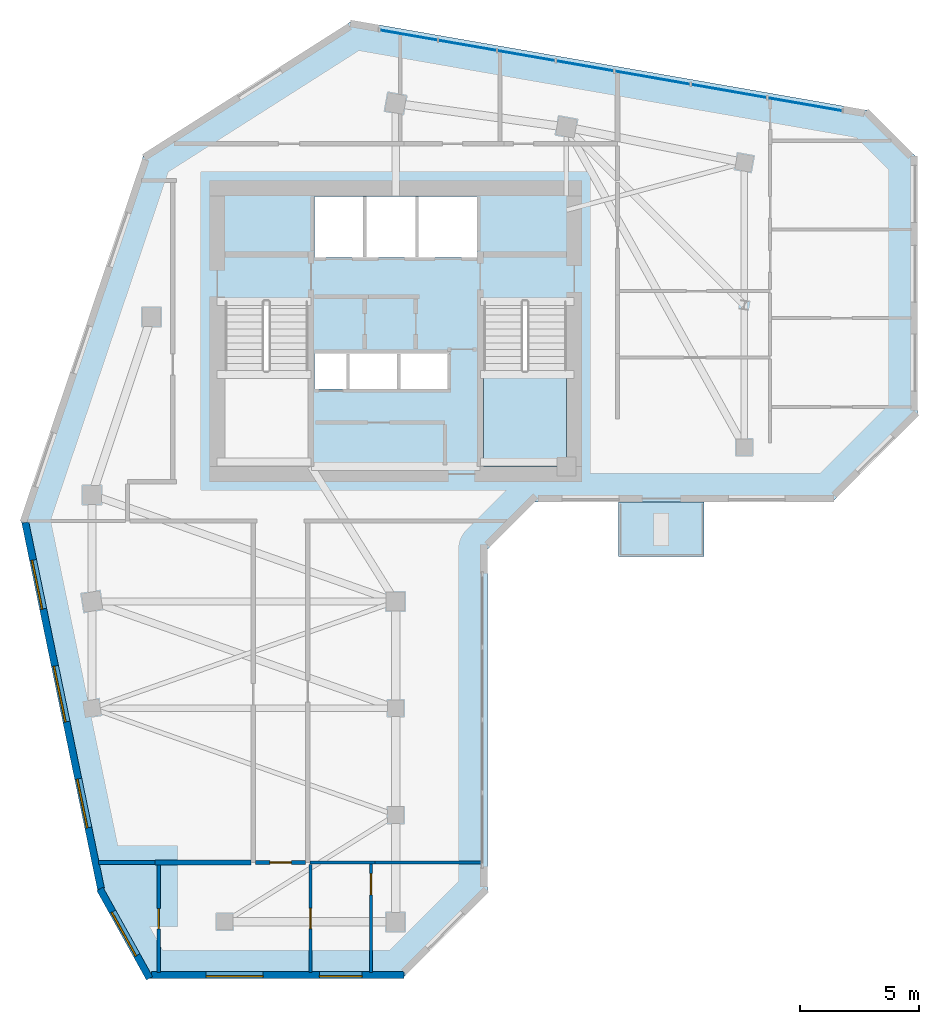
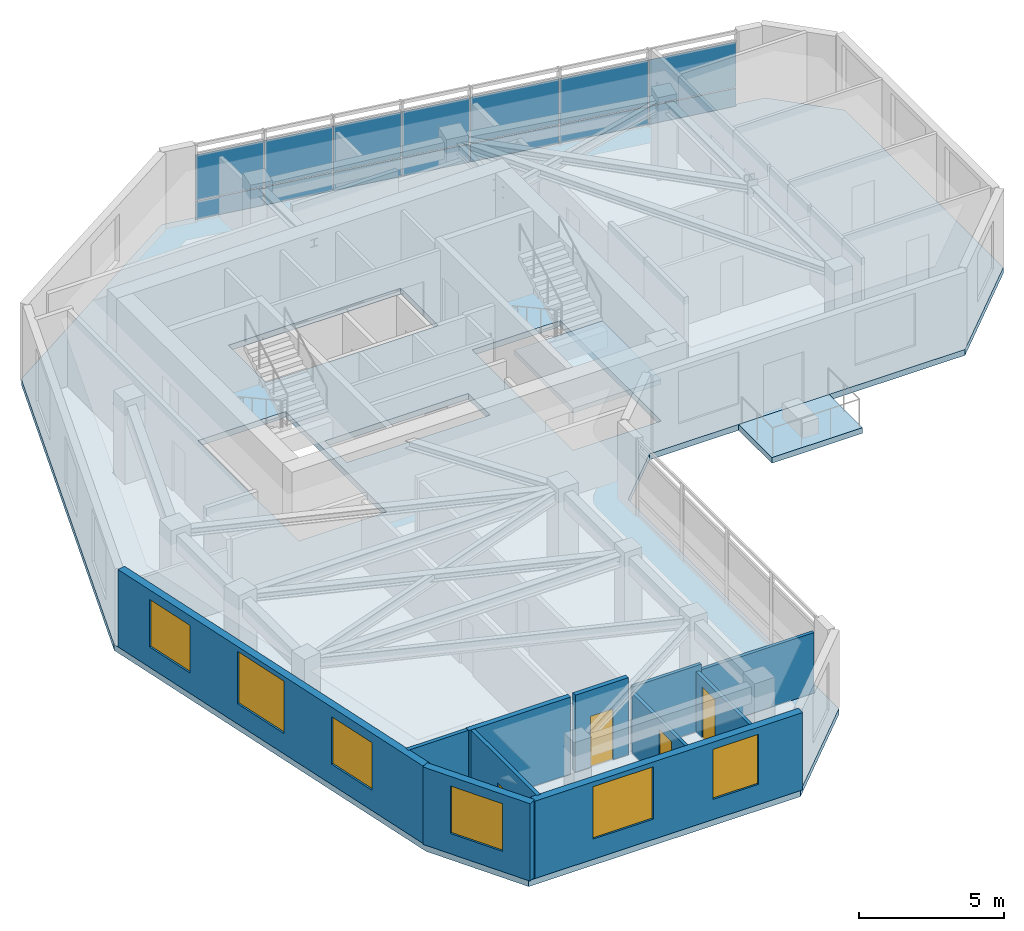
# One storey, part 3 of 9: 14 plates, 11 walls, 6 windows, 4 doors, 3 slabs, 10 openings, 2 elements without a shape of their own.
"""IFC4 building model written with IfcOpenShell, lengths in metres."""

import ifcopenshell
import ifcopenshell.guid

model = None  # the IFC model being written
_history = None  # IfcOwnerHistory: only IFC2X3 demands one
_inside = {}  # id of a spatial element -> (the spatial element, [elements in it])
_under = {}  # id of a project, library or spatial element -> (it, [spatial elements below it])
_declared = {}  # id of a project -> (the project, [libraries it declares])
_typed = {}  # id of a type object -> (the type object, [elements of that type])
_made_of = {}  # id of a material, layer set ... -> (it, [elements and type objects made of it])


def new_model(schema):
    """Start an empty IFC model of exactly this schema.

    Asked for "IFC4X3", IfcOpenShell would pick the latest addendum, in which some entities
    have other attributes; the version numbers below select the first issue.
    IFC2X3 requires an IfcOwnerHistory on every rooted entity: one is made here for all.
    """
    global model, _history
    if schema == "IFC4X3":
        model = ifcopenshell.file(schema_version=(4, 3, 0, 0))
    else:
        model = ifcopenshell.file(schema=schema)
    _inside.clear()
    _under.clear()
    _declared.clear()
    _typed.clear()
    _made_of.clear()
    _history = None
    if model.schema == "IFC2X3":
        org = make("IfcOrganization", Name="unknown")
        user = make(
            "IfcPersonAndOrganization",
            ThePerson=make("IfcPerson", FamilyName="unknown"),
            TheOrganization=org,
        )
        app = make(
            "IfcApplication",
            ApplicationDeveloper=org,
            Version="unknown",
            ApplicationFullName="unknown",
            ApplicationIdentifier="unknown",
        )
        _history = make(
            "IfcOwnerHistory",
            OwningUser=user,
            OwningApplication=app,
            ChangeAction="ADDED",
            CreationDate=0,
        )
    return model


def make(cls, **values):
    """One entity of the class cls with the attributes given. An attribute that is None is left unset."""
    return model.create_entity(
        cls, **{name: value for name, value in values.items() if value is not None}
    )


def rooted(cls, **values):
    """An entity with a GlobalId (a new one), such as an element, a storey or a relation."""
    return make(cls, GlobalId=ifcopenshell.guid.new(), OwnerHistory=_history, **values)


def si_unit(unit_type, name, prefix=None):
    """IfcSIUnit, for example si_unit("LENGTHUNIT", "METRE", prefix="MILLI")."""
    return make("IfcSIUnit", UnitType=unit_type, Prefix=prefix, Name=name)


def assignment(units):
    """IfcUnitAssignment: the units of a project."""
    return None if units is None else make("IfcUnitAssignment", Units=units)


def point(xyz):
    """IfcCartesianPoint."""
    return None if xyz is None else make("IfcCartesianPoint", Coordinates=xyz)


def direction(xyz):
    """IfcDirection."""
    return None if xyz is None else make("IfcDirection", DirectionRatios=xyz)


def frame(location, z_axis=None, x_axis=None):
    """IfcAxis2Placement3D, a coordinate frame: its origin and axes. An axis left out is left unset."""
    return make(
        "IfcAxis2Placement3D",
        Location=point(location),
        Axis=direction(z_axis),
        RefDirection=direction(x_axis),
    )


def frame_2d(location, x_axis=None):
    """IfcAxis2Placement2D, a coordinate frame in the plane: its origin and x axis."""
    return make(
        "IfcAxis2Placement2D", Location=point(location), RefDirection=direction(x_axis)
    )


def origin():
    """The frame at (0, 0, 0) with its axes left unset."""
    return frame((0.0, 0.0, 0.0))


def place(relative_to, where):
    """IfcLocalPlacement: puts the frame where relative to a parent placement (None: the world)."""
    return make(
        "IfcLocalPlacement", PlacementRelTo=relative_to, RelativePlacement=where
    )


def context(
    kind, dimensions, precision=None, world=None, true_north=None, identifier=None
):
    """IfcGeometricRepresentationContext, for example the 3D "Model" context."""
    return make(
        "IfcGeometricRepresentationContext",
        ContextIdentifier=identifier,
        ContextType=kind,
        CoordinateSpaceDimension=dimensions,
        Precision=precision,
        WorldCoordinateSystem=world,
        TrueNorth=true_north,
    )


def subcontext(parent, identifier, kind, view, scale=None):
    """IfcGeometricRepresentationSubContext, for example "Body" below "Model"."""
    return make(
        "IfcGeometricRepresentationSubContext",
        ContextIdentifier=identifier,
        ContextType=kind,
        ParentContext=parent,
        TargetScale=scale,
        TargetView=view,
    )


def project(units=None, contexts=None):
    """IfcProject with its units and contexts."""
    return rooted(
        "IfcProject",
        Name="project",
        RepresentationContexts=contexts,
        UnitsInContext=assignment(units),
    )


def spatial(cls, under=None, at=None, **own):
    """A site, building, storey or space (cls), placed at a placement, below another one or the project."""
    s = rooted(cls, ObjectPlacement=at, **own)
    if under is not None:
        _under.setdefault(under.id(), (under, []))[1].append(s)
    return s


def polyline(points):
    """IfcPolyline through the points."""
    return make("IfcPolyline", Points=[point(p) for p in points])


def profile(cls, at=None, kind="AREA", **sizes):
    """A parametric profile (cls). Its sizes go by their IFC names, for example OverallWidth=200.0."""
    return make(cls, ProfileType=kind, Position=at, **sizes)


def rectangle(**sizes):
    """IfcRectangleProfileDef."""
    return profile("IfcRectangleProfileDef", **sizes)


def outline(outer, holes=None, kind="AREA"):
    """IfcArbitraryClosedProfileDef: a profile drawn as a closed curve; with holes, ...WithVoids."""
    if holes is None:
        return make("IfcArbitraryClosedProfileDef", ProfileType=kind, OuterCurve=outer)
    return make(
        "IfcArbitraryProfileDefWithVoids",
        ProfileType=kind,
        OuterCurve=outer,
        InnerCurves=holes,
    )


def extrude(swept, where, along, depth):
    """IfcExtrudedAreaSolid: the profile swept, set in the frame where, extruded along a direction by depth."""
    return make(
        "IfcExtrudedAreaSolid",
        SweptArea=swept,
        Position=where,
        ExtrudedDirection=direction(along),
        Depth=depth,
    )


def shape(context_of_items, identifier, shape_type, items):
    """IfcShapeRepresentation: the items that make up one representation, for example the "Body"."""
    return make(
        "IfcShapeRepresentation",
        ContextOfItems=context_of_items,
        RepresentationIdentifier=identifier,
        RepresentationType=shape_type,
        Items=items,
    )


def source(mapping_origin, context_of_items, identifier, shape_type, items):
    """IfcRepresentationMap: a shape defined once, which mapped items show again and again."""
    return make(
        "IfcRepresentationMap",
        MappingOrigin=mapping_origin,
        MappedRepresentation=shape(context_of_items, identifier, shape_type, items),
    )


def transform(
    local_origin,
    x_axis=None,
    y_axis=None,
    z_axis=None,
    scale=None,
    scale2=None,
    scale3=None,
    uniform=True,
):
    """IfcCartesianTransformationOperator3D, or its non-uniform kind. x_axis, y_axis, z_axis: its Axis1, 2, 3."""
    if uniform:
        return make(
            "IfcCartesianTransformationOperator3D",
            Axis1=direction(x_axis),
            Axis2=direction(y_axis),
            LocalOrigin=point(local_origin),
            Scale=scale,
            Axis3=direction(z_axis),
        )
    return make(
        "IfcCartesianTransformationOperator3DnonUniform",
        Axis1=direction(x_axis),
        Axis2=direction(y_axis),
        LocalOrigin=point(local_origin),
        Scale=scale,
        Axis3=direction(z_axis),
        Scale2=scale2,
        Scale3=scale3,
    )


def mapped(mapping_source, mapping_target):
    """IfcMappedItem: shows the shape of a source again, moved by a transform."""
    return make(
        "IfcMappedItem", MappingSource=mapping_source, MappingTarget=mapping_target
    )


def material(Name=None, Category=None):
    """IfcMaterial."""
    return make("IfcMaterial", Name=Name, Category=Category)


def layer(
    of_material, thickness, ventilated=None, Name=None, Category=None, Priority=None
):
    """IfcMaterialLayer: one layer of a wall or slab, of a material (None: an air gap)."""
    return make(
        "IfcMaterialLayer",
        Material=of_material,
        LayerThickness=thickness,
        IsVentilated=ventilated,
        Name=Name,
        Category=Category,
        Priority=Priority,
    )


def layer_set(layers, Name=None):
    """IfcMaterialLayerSet."""
    return make("IfcMaterialLayerSet", MaterialLayers=layers, LayerSetName=Name)


def made_of(thing, what):
    """Note that an element or type object is made of a material, layer set ...; save() writes the relation."""
    if what is not None:
        _made_of.setdefault(what.id(), (what, []))[1].append(thing)
    return thing


def type_object(cls, material=None, **own):
    """A type object (cls), such as IfcWallType, which elements share."""
    return made_of(rooted(cls, **own), material)


def element(
    cls,
    number,
    at=None,
    inside=None,
    cuts=None,
    type_object=None,
    material=None,
    context=None,
    identifier="Body",
    shape_type=None,
    held_by="IfcProductDefinitionShape",
    body=None,
    shapes=None,
    **own,
):
    """One element of the class cls, such as IfcWall. Its Tag is "e" and its number.

    at: its placement. inside: the storey or other place that contains it. cuts: it is an
    opening in that element (IfcRelVoidsElement). A single representation is given by context,
    identifier, shape_type and body (its items); several are given by shapes. held_by: the class
    of the entity that holds the representations. save() writes the other relations.
    """
    e = rooted(cls, Tag="e%d" % number, ObjectPlacement=at, **own)
    if body is not None:
        shapes = [shape(context, identifier, shape_type, body)]
    if shapes is not None:
        e.Representation = make(held_by, Representations=shapes)
    if inside is not None:
        _inside.setdefault(inside.id(), (inside, []))[1].append(e)
    if cuts is not None:
        rooted(
            "IfcRelVoidsElement", RelatingBuildingElement=cuts, RelatedOpeningElement=e
        )
    if type_object is not None:
        _typed.setdefault(type_object.id(), (type_object, []))[1].append(e)
    return made_of(e, material)


def fill(opening, filler):
    """IfcRelFillsElement: the door or window that sits in an opening."""
    return rooted(
        "IfcRelFillsElement",
        RelatingOpeningElement=opening,
        RelatedBuildingElement=filler,
    )


def aggregate(whole, parts):
    """IfcRelAggregates: a whole, such as a stair, and the parts it consists of."""
    return rooted("IfcRelAggregates", RelatingObject=whole, RelatedObjects=parts)


def save(model, path):
    """Write the relations noted so far, then the file.

    IfcRelAggregates (storeys below a building ...), IfcRelContainedInSpatialStructure (elements
    in a storey), IfcRelDefinesByType, IfcRelAssociatesMaterial and IfcRelDeclares: one each for
    every whole, place, type object, material and project.
    """
    for whole, parts in _under.values():
        aggregate(whole, parts)
    for where, things in _inside.values():
        rooted(
            "IfcRelContainedInSpatialStructure",
            RelatedElements=things,
            RelatingStructure=where,
        )
    for kind, things in _typed.values():
        rooted("IfcRelDefinesByType", RelatedObjects=things, RelatingType=kind)
    for what, things in _made_of.values():
        rooted("IfcRelAssociatesMaterial", RelatedObjects=things, RelatingMaterial=what)
    for by, libraries in _declared.values():
        rooted("IfcRelDeclares", RelatingContext=by, RelatedDefinitions=libraries)
    model.write(path)


model = new_model("IFC4")

# Units and contexts
model_context = context("Model", 3, precision=1e-05, world=origin(), true_north=direction((0.0, 1.0)))
body_context = subcontext(model_context, "Body", "Model", "MODEL_VIEW")
ifc_project = project(units=[si_unit("LENGTHUNIT", "METRE"), si_unit("AREAUNIT", "SQUARE_METRE"), si_unit("VOLUMEUNIT", "CUBIC_METRE"), si_unit("PLANEANGLEUNIT", "RADIAN"), si_unit("MASSUNIT", "GRAM", prefix="KILO")], contexts=[model_context])

# Site, building, storey
site_placement = place(None, origin())
site = spatial("IfcSite", under=ifc_project, at=site_placement, CompositionType="ELEMENT")
building_placement = place(site_placement, origin())
building = spatial("IfcBuilding", under=site, at=building_placement, Name="Calvemar Wedge Station Tower", CompositionType="ELEMENT")
storey_placement = place(building_placement, frame((0.0, 0.0, 228.89990234375)))
storey = spatial("IfcBuildingStorey", under=building, at=storey_placement, Name="L58", CompositionType="ELEMENT", Elevation=228.89990234375)

# Curtain wall, plates
ifc_material_1 = material(Name="Anodised aluminium 6063-T6", Category="aluminium")
curtain_wall_type = type_object("IfcCurtainWallType", Name="CW3", PredefinedType="NOTDEFINED", material=ifc_material_1)
curtain_wall_placement = place(storey_placement, origin())
curtain_wall = element("IfcCurtainWall", 1, at=curtain_wall_placement, inside=storey, type_object=curtain_wall_type, Name="Storey L58 CW3 Recessed Unitised Curtain Wall 10", PredefinedType="NOTDEFINED")
ifc_material_2 = material(Name="Low-E laminated insulated glass", Category="glass")
ifc_layer_1 = layer(ifc_material_2, 0.028076171875)
ifc_layer_set_1 = layer_set([ifc_layer_1], Name="Low-E laminated insulated glass")
plate_type_1 = type_object("IfcPlateType", Name="CW3-GLZ", PredefinedType="CURTAIN_PANEL", material=ifc_layer_set_1)
plate_1_placement = place(storey_placement, frame((42.615966796875, 49.185791015625, 0.8701171875), z_axis=(0.0, 0.0, 1.0), x_axis=(-0.985087696251, 0.172052988044, 0.0)))
plate_1 = element("IfcPlate", 2, at=plate_1_placement, type_object=plate_type_1, Name="CW3 vision glass panel 1", PredefinedType="CURTAIN_PANEL", context=body_context, shape_type="SweptSolid", body=[
    extrude(rectangle(XDim=3.18408203125, YDim=0.028076171875, at=frame_2d((1.592041015625, 0.0))), origin(), (0.0, 0.0, 1.0), 1.909912109375),
])
plate_2_placement = place(storey_placement, frame((39.44384765625, 49.73974609375, 0.8701171875), z_axis=(0.0, 0.0, 1.0), x_axis=(-0.985090676874, 0.172035921644, 0.0)))
plate_2 = element("IfcPlate", 3, at=plate_2_placement, type_object=plate_type_1, Name="CW3 vision glass panel 2", PredefinedType="CURTAIN_PANEL", context=body_context, shape_type="SweptSolid", body=[
    extrude(rectangle(XDim=3.232666015625, YDim=0.028076171875, at=frame_2d((1.6162109375, 0.0))), origin(), (0.0, 0.0, 1.0), 1.909912109375),
])
plate_3_placement = place(storey_placement, frame((36.223876953125, 50.30224609375, 0.8701171875), z_axis=(0.0, 0.0, 1.0), x_axis=(-0.985090676874, 0.172035921644, 0.0)))
plate_3 = element("IfcPlate", 4, at=plate_3_placement, type_object=plate_type_1, Name="CW3 vision glass panel 3", PredefinedType="CURTAIN_PANEL", context=body_context, shape_type="SweptSolid", body=[
    extrude(rectangle(XDim=3.232666015625, YDim=0.028076171875, at=frame_2d((1.6162109375, 0.0))), origin(), (0.0, 0.0, 1.0), 1.909912109375),
])
plate_4_placement = place(storey_placement, frame((33.00390625, 50.86474609375, 0.8701171875), z_axis=(0.0, 0.0, 1.0), x_axis=(-0.98509358917, 0.172019244782, 0.0)))
plate_4 = element("IfcPlate", 5, at=plate_4_placement, type_object=plate_type_1, Name="CW3 vision glass panel 4", PredefinedType="CURTAIN_PANEL", context=body_context, shape_type="SweptSolid", body=[
    extrude(rectangle(XDim=2.4765625, YDim=0.028076171875, at=frame_2d((1.23828125, 0.0))), origin(), (0.0, 0.0, 1.0), 1.909912109375),
])
plate_5_placement = place(storey_placement, frame((30.52880859375, 51.297119140625, 0.8701171875), z_axis=(0.0, 0.0, 1.0), x_axis=(-0.985090671751, 0.172035950981, 0.0)))
plate_5 = element("IfcPlate", 6, at=plate_5_placement, type_object=plate_type_1, Name="CW3 vision glass panel 5", PredefinedType="CURTAIN_PANEL", context=body_context, shape_type="SweptSolid", body=[
    extrude(rectangle(XDim=2.476318359375, YDim=0.028076171875, at=frame_2d((1.23828125, 0.0))), origin(), (0.0, 0.0, 1.0), 1.909912109375),
])
plate_6_placement = place(storey_placement, frame((28.053955078125, 51.729248046875, 0.8701171875), z_axis=(0.0, 0.0, 1.0), x_axis=(-0.985075890094, 0.172120570404, 0.0)))
plate_6 = element("IfcPlate", 7, at=plate_6_placement, type_object=plate_type_1, Name="CW3 vision glass panel 6", PredefinedType="CURTAIN_PANEL", context=body_context, shape_type="SweptSolid", body=[
    extrude(rectangle(XDim=2.485107421875, YDim=0.028076171875, at=frame_2d((1.24267578125, 0.0))), origin(), (0.0, 0.0, 1.0), 1.909912109375),
])
plate_7_placement = place(storey_placement, frame((25.570556640625, 52.1630859375, 0.8701171875), z_axis=(0.0, 0.0, 1.0), x_axis=(-0.985078800149, 0.172103914825, 0.0)))
plate_7 = element("IfcPlate", 8, at=plate_7_placement, type_object=plate_type_1, Name="CW3 vision glass panel 7", PredefinedType="CURTAIN_PANEL", context=body_context, shape_type="SweptSolid", body=[
    extrude(rectangle(XDim=2.4853515625, YDim=0.028076171875, at=frame_2d((1.24267578125, 0.0))), origin(), (0.0, 0.0, 1.0), 1.909912109375),
])
ifc_material_3 = material(Name="Oxidized bronze aluminium spandrel panel 5005-H24", Category="aluminium")
ifc_layer_2 = layer(ifc_material_3, 0.0400390625)
ifc_layer_set_2 = layer_set([ifc_layer_2], Name="Oxidized bronze aluminium spandrel panel 5005-H24")
plate_type_2 = type_object("IfcPlateType", Name="CW3-SPD", PredefinedType="SHEET", material=ifc_layer_set_2)
plate_8_placement = place(storey_placement, frame((42.615966796875, 49.185791015625, 0.080078125), z_axis=(0.0, 0.0, 1.0), x_axis=(-0.985087696251, 0.172052988044, 0.0)))
plate_8 = element("IfcPlate", 9, at=plate_8_placement, type_object=plate_type_2, Name="CW3 bronze spandrel panel 1", PredefinedType="SHEET", context=body_context, shape_type="SweptSolid", body=[
    extrude(rectangle(XDim=3.18408203125, YDim=0.0400390625, at=frame_2d((1.592041015625, 0.0))), origin(), (0.0, 0.0, 1.0), 0.75),
])
plate_9_placement = place(storey_placement, frame((39.44384765625, 49.73974609375, 0.080078125), z_axis=(0.0, 0.0, 1.0), x_axis=(-0.985090676874, 0.172035921644, 0.0)))
plate_9 = element("IfcPlate", 10, at=plate_9_placement, type_object=plate_type_2, Name="CW3 bronze spandrel panel 2", PredefinedType="SHEET", context=body_context, shape_type="SweptSolid", body=[
    extrude(rectangle(XDim=3.232666015625, YDim=0.0400390625, at=frame_2d((1.6162109375, 0.0))), origin(), (0.0, 0.0, 1.0), 0.75),
])
plate_10_placement = place(storey_placement, frame((36.223876953125, 50.30224609375, 0.080078125), z_axis=(0.0, 0.0, 1.0), x_axis=(-0.985090676874, 0.172035921644, 0.0)))
plate_10 = element("IfcPlate", 11, at=plate_10_placement, type_object=plate_type_2, Name="CW3 bronze spandrel panel 3", PredefinedType="SHEET", context=body_context, shape_type="SweptSolid", body=[
    extrude(rectangle(XDim=3.232666015625, YDim=0.0400390625, at=frame_2d((1.6162109375, 0.0))), origin(), (0.0, 0.0, 1.0), 0.75),
])
plate_11_placement = place(storey_placement, frame((33.00390625, 50.86474609375, 0.080078125), z_axis=(0.0, 0.0, 1.0), x_axis=(-0.98509358917, 0.172019244782, 0.0)))
plate_11 = element("IfcPlate", 12, at=plate_11_placement, type_object=plate_type_2, Name="CW3 bronze spandrel panel 4", PredefinedType="SHEET", context=body_context, shape_type="SweptSolid", body=[
    extrude(rectangle(XDim=2.4765625, YDim=0.0400390625, at=frame_2d((1.23828125, 0.0))), origin(), (0.0, 0.0, 1.0), 0.75),
])
plate_12_placement = place(storey_placement, frame((30.52880859375, 51.297119140625, 0.080078125), z_axis=(0.0, 0.0, 1.0), x_axis=(-0.985090671751, 0.172035950981, 0.0)))
plate_12 = element("IfcPlate", 13, at=plate_12_placement, type_object=plate_type_2, Name="CW3 bronze spandrel panel 5", PredefinedType="SHEET", context=body_context, shape_type="SweptSolid", body=[
    extrude(rectangle(XDim=2.476318359375, YDim=0.0400390625, at=frame_2d((1.23828125, 0.0))), origin(), (0.0, 0.0, 1.0), 0.75),
])
plate_13_placement = place(storey_placement, frame((28.053955078125, 51.729248046875, 0.080078125), z_axis=(0.0, 0.0, 1.0), x_axis=(-0.985075890094, 0.172120570404, 0.0)))
plate_13 = element("IfcPlate", 14, at=plate_13_placement, type_object=plate_type_2, Name="CW3 bronze spandrel panel 6", PredefinedType="SHEET", context=body_context, shape_type="SweptSolid", body=[
    extrude(rectangle(XDim=2.485107421875, YDim=0.0400390625, at=frame_2d((1.24267578125, 0.0))), origin(), (0.0, 0.0, 1.0), 0.75),
])
plate_14_placement = place(storey_placement, frame((25.570556640625, 52.1630859375, 0.080078125), z_axis=(0.0, 0.0, 1.0), x_axis=(-0.985078800149, 0.172103914825, 0.0)))
plate_14 = element("IfcPlate", 15, at=plate_14_placement, type_object=plate_type_2, Name="CW3 bronze spandrel panel 7", PredefinedType="SHEET", context=body_context, shape_type="SweptSolid", body=[
    extrude(rectangle(XDim=2.4853515625, YDim=0.0400390625, at=frame_2d((1.24267578125, 0.0))), origin(), (0.0, 0.0, 1.0), 0.75),
])
aggregate(curtain_wall, [plate_8, plate_1, plate_9, plate_2, plate_10, plate_3, plate_11, plate_4, plate_12, plate_5, plate_13, plate_6, plate_14, plate_7])

# Stair, slab
ifc_material_4 = material(Name="Concrete C45", Category="concrete")
stair_type = type_object("IfcStairType", Name="ST-TYPE-3500", PredefinedType="HALF_TURN_STAIR", material=ifc_material_4)
stair_placement = place(storey_placement, origin())
stair = element("IfcStair", 16, at=stair_placement, inside=storey, type_object=stair_type, Name="L58 Pressurized Core Exit Stair ST-C2", PredefinedType="HALF_TURN_STAIR")
ifc_layer_3 = layer(ifc_material_4, 0.199951171875)
ifc_layer_set_3 = layer_set([ifc_layer_3], Name="Concrete C45")
slab_type_1 = type_object("IfcSlabType", Name="SL-STAIR-LND-200", PredefinedType="LANDING", material=ifc_layer_set_3)
slab_1_placement = place(storey_placement, frame((0.0, 0.0, 1.550048828125)))
slab_1 = element("IfcSlab", 17, at=slab_1_placement, type_object=slab_type_1, Name="ST-C2 landing 1", PredefinedType="LANDING", context=body_context, shape_type="SweptSolid", body=[
    extrude(outline(polyline([(27.5, 38.25), (27.5, 34.199951171875), (31.0, 34.199951171875), (31.0, 38.25), (27.5, 38.25)])), origin(), (0.0, 0.0, 1.0), 0.199951171875),
])
aggregate(stair, [slab_1])

# Slabs
ifc_layer_4 = layer(ifc_material_4, 0.239990234375)
ifc_layer_set_4 = layer_set([ifc_layer_4], Name="Concrete C45")
slab_type_2 = type_object("IfcSlabType", Name="SL-TERR-240", PredefinedType="FLOOR", material=ifc_layer_set_4)
slab_2_placement = place(storey_placement, frame((0.0, 0.0, -0.239990234375)))
element("IfcSlab", 18, at=slab_2_placement, inside=storey, type_object=slab_type_2, Name="Storey L58 Planted Spiral Terrace Slab", PredefinedType="FLOOR", context=body_context, shape_type="SweptSolid", body=[
    extrude(outline(polyline([(33.199951171875, 32.69189453125), (33.199951171875, 30.39208984375), (36.800048828125, 30.39208984375), (36.800048828125, 32.69189453125), (33.199951171875, 32.69189453125)])), origin(), (0.0, 0.0, 1.0), 0.239990234375),
])
ifc_material_5 = material(Name="Concrete C50", Category="concrete")
ifc_layer_5 = layer(ifc_material_5, 0.25)
ifc_layer_set_5 = layer_set([ifc_layer_5], Name="Concrete C50")
slab_type_3 = type_object("IfcSlabType", Name="SL-TYP-250", PredefinedType="FLOOR", material=ifc_layer_set_5)
slab_3_placement = place(storey_placement, frame((0.0, 0.0, -0.25)))
element("IfcSlab", 19, at=slab_3_placement, inside=storey, type_object=slab_type_3, Name="Storey L58 Structural Floor Slab", PredefinedType="FLOOR", context=body_context, shape_type="SweptSolid", body=[
    extrude(outline(polyline([(8.0, 32.0), (11.263916015625, 16.199951171875), (13.263916015625, 12.60009765625), (24.06396484375, 12.60009765625), (27.6640625, 16.199951171875), (27.6640625, 30.69189453125), (29.6640625, 32.69189453125), (42.199951171875, 32.69189453125), (45.800048828125, 36.2919921875), (45.800048828125, 47.19189453125), (43.800048828125, 49.19189453125), (22.0, 53.0), (13.199951171875, 47.39990234375), (8.0, 32.0)]), holes=[polyline([(20.10009765625, 34.199951171875), (20.10009765625, 41.14990234375), (16.60009765625, 41.14990234375), (16.60009765625, 34.199951171875), (20.10009765625, 34.199951171875)]), polyline([(27.5, 34.199951171875), (31.0, 34.199951171875), (31.0, 41.14990234375), (27.5, 41.14990234375), (27.5, 34.199951171875)]), polyline([(21.800048828125, 37.449951171875), (23.929931640625, 37.449951171875), (23.93994140625, 37.449951171875), (26.080078125, 37.449951171875), (26.080078125, 38.949951171875), (23.93994140625, 38.949951171875), (23.929931640625, 38.949951171875), (21.800048828125, 38.949951171875), (21.7900390625, 38.949951171875), (20.3798828125, 38.949951171875), (20.3798828125, 37.449951171875), (21.7900390625, 37.449951171875), (21.800048828125, 37.449951171875)]), polyline([(27.219970703125, 43.0), (27.219970703125, 45.580078125), (20.3798828125, 45.580078125), (20.3798828125, 43.0), (27.219970703125, 43.0)])]), origin(), (0.0, 0.0, 1.0), 0.25),
])

# Wall, opening, door
ifc_material_6 = material(Name="Double-stud fire-rated corridor partition")
ifc_layer_6 = layer(ifc_material_6, 0.179931640625)
ifc_layer_set_6 = layer_set([ifc_layer_6], Name="Double-stud fire-rated corridor partition")
wall_type_1 = type_object("IfcWallType", Name="W-CORR-180", PredefinedType="PARTITIONING", material=ifc_layer_set_6)
wall_1_placement = place(storey_placement, frame((20.006103515625, 17.5, 0.0), z_axis=(0.0, 0.0, 1.0), x_axis=(-1.0, 0.0, 0.0)))
wall_1 = element("IfcWall", 20, at=wall_1_placement, inside=storey, type_object=wall_type_1, Name="Storey L58 Interior Partition WL-L58-040", PredefinedType="PARTITIONING", context=body_context, shape_type="SweptSolid", body=[
    extrude(rectangle(XDim=2.112060546875, YDim=0.179931640625, at=frame_2d((1.05615234375, 0.0))), origin(), (0.0, 0.0, 1.0), 3.25),
])
shared_shape_1 = source(origin(), body_context, "Body", "SweptSolid", [
    extrude(rectangle(XDim=0.89990234375, YDim=2.14990234375, at=frame_2d((0.449951171875, 1.074951171875))), frame((0.0, 0.10009765625, 0.0), z_axis=(0.0, -1.0, 0.0), x_axis=(1.0, 0.0, 0.0)), (0.0, 0.0, 1.0), 0.199951171875),
])
opening_1_placement = place(wall_1_placement, frame((0.60595703125, 0.0, 0.0)))
opening_1 = element("IfcOpeningElement", 21, at=opening_1_placement, cuts=wall_1, Name="Opening FD-60", PredefinedType="OPENING", context=body_context, shape_type="MappedRepresentation", body=[
    mapped(shared_shape_1, transform((0.0, 0.0, 0.0), scale=1.0)),
])
ifc_material_7 = material(Name="Fire-rated acoustic timber-core entrance door EI 60", Category="wood")
door_type_1 = type_object("IfcDoorType", Name="DR-FD60-900", OperationType="NOTDEFINED", PredefinedType="DOOR", material=ifc_material_7)
shared_shape_2 = source(origin(), body_context, "Body", "SweptSolid", [
    extrude(rectangle(XDim=0.89990234375, YDim=2.14990234375, at=frame_2d((0.449951171875, 1.074951171875))), frame((0.0, 0.02490234375, 0.0), z_axis=(0.0, -1.0, 0.0), x_axis=(1.0, 0.0, 0.0)), (0.0, 0.0, 1.0), 0.050048828125),
])
door_1_placement = place(opening_1_placement, origin())
door_1 = element("IfcDoor", 22, at=door_1_placement, inside=storey, type_object=door_type_1, Name="L58 Living Dining Door", OperationType="SINGLE_SWING_LEFT", OverallHeight=2.14990234375, OverallWidth=0.89990234375, PredefinedType="DOOR", context=body_context, shape_type="MappedRepresentation", body=[
    mapped(shared_shape_2, transform((0.0, 0.0, 0.0), scale=1.0)),
])
fill(opening_1, door_1)

# Wall
ifc_material_8 = material(Name="Twin-stud fire-rated inter-tenancy wall")
ifc_layer_7 = layer(ifc_material_8, 0.199951171875)
ifc_layer_set_7 = layer_set([ifc_layer_7], Name="Twin-stud fire-rated inter-tenancy wall")
wall_type_2 = type_object("IfcWallType", Name="W-DEMISE-200", PredefinedType="PARTITIONING", material=ifc_layer_set_7)
wall_2_placement = place(storey_placement, frame((17.7060546875, 17.5, 0.0), z_axis=(0.0, 0.0, 1.0), x_axis=(-1.0, 0.0, 0.0)))
element("IfcWall", 23, at=wall_2_placement, inside=storey, type_object=wall_type_2, Name="Storey L58 Interior Partition WL-L58-041", PredefinedType="PARTITIONING", context=body_context, shape_type="SweptSolid", body=[
    extrude(rectangle(XDim=4.050048828125, YDim=0.199951171875, at=frame_2d((2.02490234375, 0.0))), origin(), (0.0, 0.0, 1.0), 3.25),
])

# Wall, opening, window
ifc_material_9 = material(Name="Precast concrete C45", Category="concrete")
ifc_layer_8 = layer(ifc_material_9, 0.300048828125)
ifc_layer_set_8 = layer_set([ifc_layer_8], Name="Precast concrete C45")
wall_type_3 = type_object("IfcWallType", Name="W-EXT-GFRC-300", PredefinedType="SOLIDWALL", material=ifc_layer_set_8)
wall_3_placement = place(storey_placement, frame((11.33349609375, 16.3837890625, 0.0), z_axis=(0.0, 0.0, 1.0), x_axis=(0.485633305139, -0.874162623852, 0.0)))
wall_3 = element("IfcWall", 24, at=wall_3_placement, inside=storey, type_object=wall_type_3, Name="Storey L58 Bronze GFRC Exterior Wall 1", PredefinedType="SOLIDWALL", context=body_context, shape_type="SweptSolid", body=[
    extrude(rectangle(XDim=4.306884765625, YDim=0.300048828125, at=frame_2d((2.1533203125, 0.0))), origin(), (0.0, 0.0, 1.0), 3.25),
])
shared_shape_3 = source(origin(), body_context, "Body", "SweptSolid", [
    extrude(rectangle(XDim=2.10009765625, YDim=2.0, at=frame_2d((1.050048828125, 1.0))), frame((0.0, 0.16015625, 0.0), z_axis=(0.0, -1.0, 0.0), x_axis=(1.0, 0.0, 0.0)), (0.0, 0.0, 1.0), 0.320068359375),
])
opening_2_placement = place(wall_3_placement, frame((1.10400390625, 0.0, 0.85009765625)))
opening_2 = element("IfcOpeningElement", 25, at=opening_2_placement, cuts=wall_3, Name="Opening W4", PredefinedType="OPENING", context=body_context, shape_type="MappedRepresentation", body=[
    mapped(shared_shape_3, transform((0.0, 0.0, 0.0), scale=1.0)),
])
window_type_1 = type_object("IfcWindowType", Name="WIN-EXT-4", PartitioningType="SINGLE_PANEL", PredefinedType="WINDOW", material=ifc_material_2)
shared_shape_4 = source(origin(), body_context, "Body", "SweptSolid", [
    extrude(rectangle(XDim=2.10009765625, YDim=2.0, at=frame_2d((1.050048828125, 1.0))), frame((0.0, -0.014892578125, 0.0), z_axis=(0.0, -1.0, 0.0), x_axis=(1.0, 0.0, 0.0)), (0.0, 0.0, 1.0), 0.06005859375),
])
window_1_placement = place(opening_2_placement, origin())
window_1 = element("IfcWindow", 26, at=window_1_placement, inside=storey, type_object=window_type_1, Name="Storey L58 Recessed Window 1.1", OverallHeight=2.0, OverallWidth=2.10009765625, PartitioningType="SINGLE_PANEL", PredefinedType="WINDOW", context=body_context, shape_type="MappedRepresentation", body=[
    mapped(shared_shape_4, transform((0.0, 0.0, 0.0), scale=1.0)),
])
fill(opening_2, window_1)

# Wall, openings, windows
wall_4_placement = place(storey_placement, frame((13.510009765625, 12.75, 0.0), z_axis=(0.0, 0.0, 1.0), x_axis=(1.0, 0.0, 0.0)))
wall_4 = element("IfcWall", 27, at=wall_4_placement, inside=storey, type_object=wall_type_3, Name="Storey L58 Bronze GFRC Exterior Wall 2", PredefinedType="SOLIDWALL", context=body_context, shape_type="SweptSolid", body=[
    extrude(rectangle(XDim=10.641845703125, YDim=0.300048828125, at=frame_2d((5.32080078125, 0.0))), origin(), (0.0, 0.0, 1.0), 3.25),
])
shared_shape_5 = source(origin(), body_context, "Body", "SweptSolid", [
    extrude(rectangle(XDim=2.39990234375, YDim=2.199951171875, at=frame_2d((1.199951171875, 1.10009765625))), frame((0.0, 0.16015625, 0.0), z_axis=(0.0, -1.0, 0.0), x_axis=(1.0, 0.0, 0.0)), (0.0, 0.0, 1.0), 0.320068359375),
])
opening_3_placement = place(wall_4_placement, frame((2.304931640625, 0.0, 0.85009765625)))
opening_3 = element("IfcOpeningElement", 28, at=opening_3_placement, cuts=wall_4, Name="Opening W1", PredefinedType="OPENING", context=body_context, shape_type="MappedRepresentation", body=[
    mapped(shared_shape_5, transform((0.0, 0.0, 0.0), scale=1.0)),
])
shared_shape_6 = source(origin(), body_context, "Body", "SweptSolid", [
    extrude(rectangle(XDim=1.800048828125, YDim=2.10009765625, at=frame_2d((0.89990234375, 1.050048828125))), frame((0.0, 0.16015625, 0.0), z_axis=(0.0, -1.0, 0.0), x_axis=(1.0, 0.0, 0.0)), (0.0, 0.0, 1.0), 0.320068359375),
])
opening_4_placement = place(wall_4_placement, frame((7.080078125, 0.0, 0.85009765625)))
opening_4 = element("IfcOpeningElement", 29, at=opening_4_placement, cuts=wall_4, Name="Opening W2", PredefinedType="OPENING", context=body_context, shape_type="MappedRepresentation", body=[
    mapped(shared_shape_6, transform((0.0, 0.0, 0.0), scale=1.0)),
])
window_type_2 = type_object("IfcWindowType", Name="WIN-EXT-2", PartitioningType="SINGLE_PANEL", PredefinedType="WINDOW", material=ifc_material_2)
shared_shape_7 = source(origin(), body_context, "Body", "SweptSolid", [
    extrude(rectangle(XDim=1.800048828125, YDim=2.10009765625, at=frame_2d((0.89990234375, 1.050048828125))), frame((0.0, -0.014892578125, 0.0), z_axis=(0.0, -1.0, 0.0), x_axis=(1.0, 0.0, 0.0)), (0.0, 0.0, 1.0), 0.06005859375),
])
window_2_placement = place(opening_4_placement, origin())
window_2 = element("IfcWindow", 30, at=window_2_placement, inside=storey, type_object=window_type_2, Name="Storey L58 Recessed Window 2.2", OverallHeight=2.10009765625, OverallWidth=1.800048828125, PartitioningType="SINGLE_PANEL", PredefinedType="WINDOW", context=body_context, shape_type="MappedRepresentation", body=[
    mapped(shared_shape_7, transform((0.0, 0.0, 0.0), scale=1.0)),
])
fill(opening_4, window_2)
window_type_3 = type_object("IfcWindowType", Name="WIN-EXT-1", PartitioningType="SINGLE_PANEL", PredefinedType="WINDOW", material=ifc_material_2)
shared_shape_8 = source(origin(), body_context, "Body", "SweptSolid", [
    extrude(rectangle(XDim=2.39990234375, YDim=2.199951171875, at=frame_2d((1.199951171875, 1.10009765625))), frame((0.0, -0.014892578125, 0.0), z_axis=(0.0, -1.0, 0.0), x_axis=(1.0, 0.0, 0.0)), (0.0, 0.0, 1.0), 0.06005859375),
])
window_3_placement = place(opening_3_placement, origin())
window_3 = element("IfcWindow", 31, at=window_3_placement, inside=storey, type_object=window_type_3, Name="Storey L58 Recessed Window 2.1", OverallHeight=2.199951171875, OverallWidth=2.39990234375, PartitioningType="SINGLE_PANEL", PredefinedType="WINDOW", context=body_context, shape_type="MappedRepresentation", body=[
    mapped(shared_shape_8, transform((0.0, 0.0, 0.0), scale=1.0)),
])
fill(opening_3, window_3)

wall_5_placement = place(storey_placement, frame((8.1875, 31.833984375, 0.0), z_axis=(0.0, 0.0, 1.0), x_axis=(0.202303475707, -0.979322880217, 0.0)))
wall_5 = element("IfcWall", 32, at=wall_5_placement, inside=storey, type_object=wall_type_3, Name="Storey L58 Bronze GFRC Exterior Wall 13", PredefinedType="SOLIDWALL", context=body_context, shape_type="SweptSolid", body=[
    extrude(rectangle(XDim=15.765625, YDim=0.300048828125, at=frame_2d((7.8828125, 0.0))), origin(), (0.0, 0.0, 1.0), 3.25),
])
opening_5_placement = place(wall_5_placement, frame((1.623046875, 0.0, 0.85009765625)))
opening_5 = element("IfcOpeningElement", 33, at=opening_5_placement, cuts=wall_5, Name="Opening W4", PredefinedType="OPENING", context=body_context, shape_type="MappedRepresentation", body=[
    mapped(shared_shape_3, transform((0.0, 0.0, 0.0), scale=1.0)),
])
opening_6_placement = place(wall_5_placement, frame((6.179931640625, 0.0, 0.85009765625)))
opening_6 = element("IfcOpeningElement", 34, at=opening_6_placement, cuts=wall_5, Name="Opening W1", PredefinedType="OPENING", context=body_context, shape_type="MappedRepresentation", body=[
    mapped(shared_shape_5, transform((0.0, 0.0, 0.0), scale=1.0)),
])
opening_7_placement = place(wall_5_placement, frame((11.037109375, 0.0, 0.85009765625)))
opening_7 = element("IfcOpeningElement", 35, at=opening_7_placement, cuts=wall_5, Name="Opening W4", PredefinedType="OPENING", context=body_context, shape_type="MappedRepresentation", body=[
    mapped(shared_shape_3, transform((0.0, 0.0, 0.0), scale=1.0)),
])
window_4_placement = place(opening_5_placement, origin())
window_4 = element("IfcWindow", 36, at=window_4_placement, inside=storey, type_object=window_type_1, Name="Storey L58 Recessed Window 13.1", OverallHeight=2.0, OverallWidth=2.10009765625, PartitioningType="SINGLE_PANEL", PredefinedType="WINDOW", context=body_context, shape_type="MappedRepresentation", body=[
    mapped(shared_shape_4, transform((0.0, 0.0, 0.0), scale=1.0)),
])
fill(opening_5, window_4)
window_5_placement = place(opening_7_placement, origin())
window_5 = element("IfcWindow", 37, at=window_5_placement, inside=storey, type_object=window_type_1, Name="Storey L58 Recessed Window 13.3", OverallHeight=2.0, OverallWidth=2.10009765625, PartitioningType="SINGLE_PANEL", PredefinedType="WINDOW", context=body_context, shape_type="MappedRepresentation", body=[
    mapped(shared_shape_4, transform((0.0, 0.0, 0.0), scale=1.0)),
])
fill(opening_7, window_5)
window_6_placement = place(opening_6_placement, origin())
window_6 = element("IfcWindow", 38, at=window_6_placement, inside=storey, type_object=window_type_3, Name="Storey L58 Recessed Window 13.2", OverallHeight=2.199951171875, OverallWidth=2.39990234375, PartitioningType="SINGLE_PANEL", PredefinedType="WINDOW", context=body_context, shape_type="MappedRepresentation", body=[
    mapped(shared_shape_8, transform((0.0, 0.0, 0.0), scale=1.0)),
])
fill(opening_6, window_6)

# Walls
ifc_material_10 = material(Name="Insulated acoustic gypsum stud partition")
ifc_layer_9 = layer(ifc_material_10, 0.125)
ifc_layer_set_9 = layer_set([ifc_layer_9], Name="Insulated acoustic gypsum stud partition")
wall_type_4 = type_object("IfcWallType", Name="W-PART-125", PredefinedType="PARTITIONING", material=ifc_layer_set_9)
wall_6_placement = place(storey_placement, frame((22.925048828125, 17.5, 0.0), z_axis=(0.0, 0.0, 1.0), x_axis=(-1.0, 0.0, 0.0)))
element("IfcWall", 39, at=wall_6_placement, inside=storey, type_object=wall_type_4, Name="Storey L58 Interior Partition WL-L58-043", PredefinedType="PARTITIONING", context=body_context, shape_type="SweptSolid", body=[
    extrude(rectangle(XDim=2.73095703125, YDim=0.125, at=frame_2d((1.365478515625, 0.0))), origin(), (0.0, 0.0, 1.0), 2.779052734375),
])
wall_7_placement = place(storey_placement, frame((27.39892578125, 17.5, 0.0), z_axis=(0.0, 0.0, 1.0), x_axis=(-1.0, 0.0, 0.0)))
element("IfcWall", 40, at=wall_7_placement, inside=storey, type_object=wall_type_4, Name="Storey L58 Interior Partition WL-L58-044", PredefinedType="PARTITIONING", context=body_context, shape_type="SweptSolid", body=[
    extrude(rectangle(XDim=4.471923828125, YDim=0.125, at=frame_2d((2.23583984375, 0.0))), origin(), (0.0, 0.0, 1.0), 2.5419921875),
])

# Wall, opening, door
wall_8_placement = place(storey_placement, frame((20.215087890625, 17.406005859375, 0.0), z_axis=(0.0, 0.0, 1.0), x_axis=(0.0, -1.0, 0.0)))
wall_8 = element("IfcWall", 41, at=wall_8_placement, inside=storey, type_object=wall_type_4, Name="Storey L58 Interior Partition WL-L58-046", PredefinedType="PARTITIONING", context=body_context, shape_type="SweptSolid", body=[
    extrude(rectangle(XDim=4.541015625, YDim=0.125, at=frame_2d((2.2705078125, 0.0))), origin(), (0.0, 0.0, 1.0), 2.5419921875),
])
shared_shape_9 = source(origin(), body_context, "Body", "SweptSolid", [
    extrude(rectangle(XDim=0.85009765625, YDim=2.14990234375, at=frame_2d((0.425048828125, 1.074951171875))), frame((0.0, 0.072509765625, 0.0), z_axis=(0.0, -1.0, 0.0), x_axis=(1.0, 0.0, 0.0)), (0.0, 0.0, 1.0), 0.14501953125),
])
opening_8_placement = place(wall_8_placement, frame((1.845458984375, 0.0, 0.0)))
opening_8 = element("IfcOpeningElement", 42, at=opening_8_placement, cuts=wall_8, Name="Opening D-02", PredefinedType="OPENING", context=body_context, shape_type="MappedRepresentation", body=[
    mapped(shared_shape_9, transform((0.0, 0.0, 0.0), scale=1.0)),
])
ifc_material_11 = material(Name="Moisture-sealed bathroom hardwood swing door", Category="wood")
door_type_2 = type_object("IfcDoorType", Name="DR-WET-850", OperationType="NOTDEFINED", PredefinedType="DOOR", material=ifc_material_11)
shared_shape_10 = source(origin(), body_context, "Body", "SweptSolid", [
    extrude(rectangle(XDim=0.85009765625, YDim=2.14990234375, at=frame_2d((0.425048828125, 1.074951171875))), frame((0.0, 0.02490234375, 0.0), z_axis=(0.0, -1.0, 0.0), x_axis=(1.0, 0.0, 0.0)), (0.0, 0.0, 1.0), 0.050048828125),
])
door_2_placement = place(opening_8_placement, origin())
door_2 = element("IfcDoor", 43, at=door_2_placement, inside=storey, type_object=door_type_2, Name="L58 Kitchen Door", OperationType="SINGLE_SWING_LEFT", OverallHeight=2.14990234375, OverallWidth=0.85009765625, PredefinedType="DOOR", context=body_context, shape_type="MappedRepresentation", body=[
    mapped(shared_shape_10, transform((0.0, 0.0, 0.0), scale=1.0)),
])
fill(opening_8, door_2)

wall_9_placement = place(storey_placement, frame((22.764892578125, 17.43359375, 0.0), z_axis=(0.0, 0.0, 1.0), x_axis=(0.0, -1.0, 0.0)))
wall_9 = element("IfcWall", 44, at=wall_9_placement, inside=storey, type_object=wall_type_4, Name="Storey L58 Interior Partition WL-L58-047", PredefinedType="PARTITIONING", context=body_context, shape_type="SweptSolid", body=[
    extrude(rectangle(XDim=4.568603515625, YDim=0.125, at=frame_2d((2.2841796875, 0.0))), origin(), (0.0, 0.0, 1.0), 2.5419921875),
])
shared_shape_11 = source(origin(), body_context, "Body", "SweptSolid", [
    extrude(rectangle(XDim=0.89990234375, YDim=2.14990234375, at=frame_2d((0.449951171875, 1.074951171875))), frame((0.0, 0.072509765625, 0.0), z_axis=(0.0, -1.0, 0.0), x_axis=(1.0, 0.0, 0.0)), (0.0, 0.0, 1.0), 0.14501953125),
])
opening_9_placement = place(wall_9_placement, frame((0.404296875, 0.0, 0.0)))
opening_9 = element("IfcOpeningElement", 45, at=opening_9_placement, cuts=wall_9, Name="Opening D-01", PredefinedType="OPENING", context=body_context, shape_type="MappedRepresentation", body=[
    mapped(shared_shape_11, transform((0.0, 0.0, 0.0), scale=1.0)),
])
ifc_material_12 = material(Name="Architectural hardwood acoustic swing door", Category="wood")
door_type_3 = type_object("IfcDoorType", Name="DR-INT-900", OperationType="NOTDEFINED", PredefinedType="DOOR", material=ifc_material_12)
shared_shape_12 = source(origin(), body_context, "Body", "SweptSolid", [
    extrude(rectangle(XDim=0.89990234375, YDim=2.14990234375, at=frame_2d((0.449951171875, 1.074951171875))), frame((0.0, 0.02490234375, 0.0), z_axis=(0.0, -1.0, 0.0), x_axis=(1.0, 0.0, 0.0)), (0.0, 0.0, 1.0), 0.050048828125),
])
door_3_placement = place(opening_9_placement, origin())
door_3 = element("IfcDoor", 46, at=door_3_placement, inside=storey, type_object=door_type_3, Name="L58 Master Bedroom Door", OperationType="SINGLE_SWING_RIGHT", OverallHeight=2.14990234375, OverallWidth=0.89990234375, PredefinedType="DOOR", context=body_context, shape_type="MappedRepresentation", body=[
    mapped(shared_shape_12, transform((0.0, 0.0, 0.0), scale=1.0)),
])
fill(opening_9, door_3)

# Wall
ifc_material_13 = material(Name="Moisture-resistant acoustic bathroom partition")
ifc_layer_10 = layer(ifc_material_13, 0.14990234375)
ifc_layer_set_10 = layer_set([ifc_layer_10], Name="Moisture-resistant acoustic bathroom partition")
wall_type_5 = type_object("IfcWallType", Name="W-WET-150", PredefinedType="PARTITIONING", material=ifc_layer_set_10)
wall_10_placement = place(storey_placement, frame((13.654052734375, 17.5, 0.0), z_axis=(0.0, 0.0, 1.0), x_axis=(-1.0, 0.0, 0.0)))
element("IfcWall", 47, at=wall_10_placement, inside=storey, type_object=wall_type_5, Name="Storey L58 Interior Partition WL-L58-042", PredefinedType="PARTITIONING", context=body_context, shape_type="SweptSolid", body=[
    extrude(rectangle(XDim=2.387939453125, YDim=0.14990234375, at=frame_2d((1.19384765625, 0.0))), origin(), (0.0, 0.0, 1.0), 3.25),
])

# Wall, opening, door
wall_11_placement = place(storey_placement, frame((13.81591796875, 12.864990234375, 0.0), z_axis=(0.0, 0.0, 1.0), x_axis=(0.0, 1.0, 0.0)))
wall_11 = element("IfcWall", 48, at=wall_11_placement, inside=storey, type_object=wall_type_5, Name="Storey L58 Interior Partition WL-L58-045", PredefinedType="PARTITIONING", context=body_context, shape_type="SweptSolid", body=[
    extrude(rectangle(XDim=4.531005859375, YDim=0.14990234375, at=frame_2d((2.265625, 0.0))), origin(), (0.0, 0.0, 1.0), 3.25),
])
shared_shape_13 = source(origin(), body_context, "Body", "SweptSolid", [
    extrude(rectangle(XDim=0.85009765625, YDim=2.14990234375, at=frame_2d((0.425048828125, 1.074951171875))), frame((0.0, 0.0849609375, 0.0), z_axis=(0.0, -1.0, 0.0), x_axis=(1.0, 0.0, 0.0)), (0.0, 0.0, 1.0), 0.169921875),
])
opening_10_placement = place(wall_11_placement, frame((1.840576171875, 0.0, 0.0)))
opening_10 = element("IfcOpeningElement", 49, at=opening_10_placement, cuts=wall_11, Name="Opening D-02", PredefinedType="OPENING", context=body_context, shape_type="MappedRepresentation", body=[
    mapped(shared_shape_13, transform((0.0, 0.0, 0.0), scale=1.0)),
])
door_4_placement = place(opening_10_placement, origin())
door_4 = element("IfcDoor", 50, at=door_4_placement, inside=storey, type_object=door_type_2, Name="L58 Bathroom Door", OperationType="SINGLE_SWING_RIGHT", OverallHeight=2.14990234375, OverallWidth=0.85009765625, PredefinedType="DOOR", context=body_context, shape_type="MappedRepresentation", body=[
    mapped(shared_shape_10, transform((0.0, 0.0, 0.0), scale=1.0)),
])
fill(opening_10, door_4)

save(model, "model.ifc")
